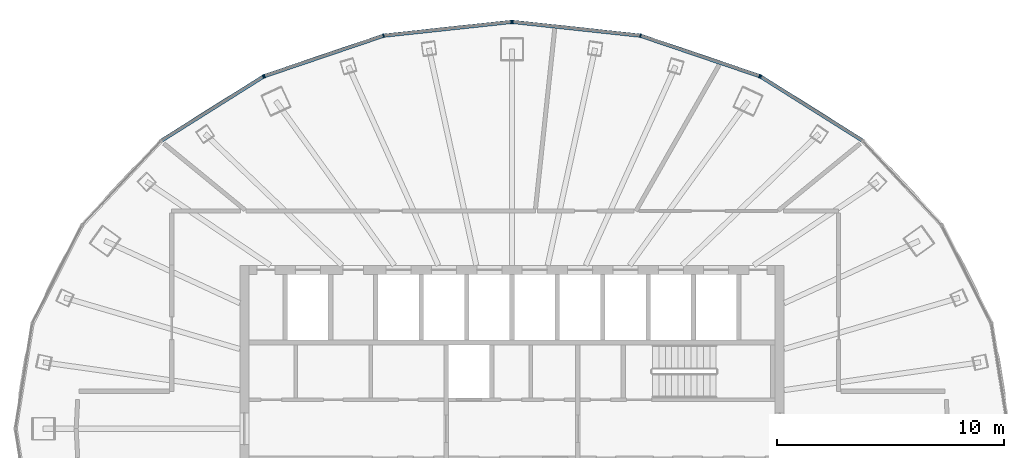
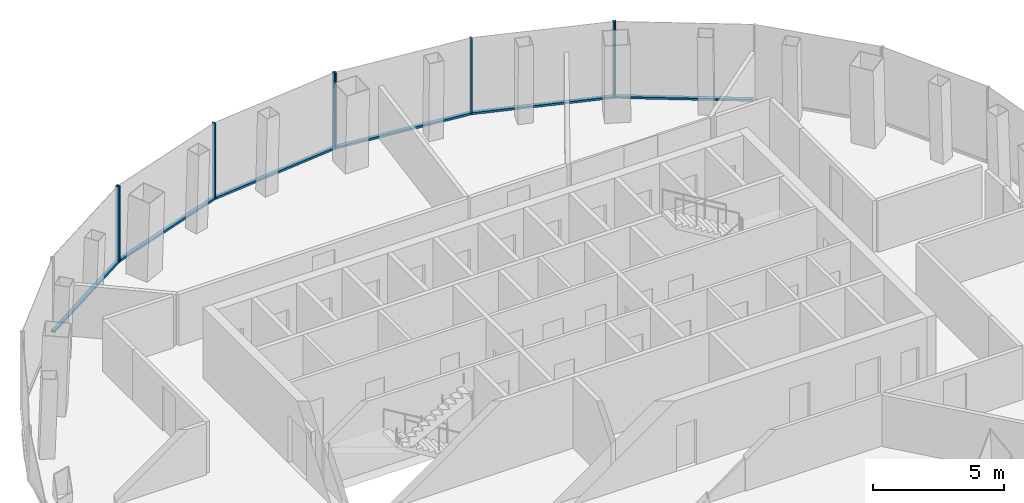
# One storey, part 6 of 11: 14 members, 4 elements without a shape of their own.
"""IFC4 building model written with IfcOpenShell, lengths in metres."""

from ifc_helpers import new_model, si_unit, direction, frame, origin, origin_2d, place, context, subcontext, project, spatial, rectangle, extrude, material, layer, layer_set, material_profile, profile_set, type_object, element, aggregate, save


model = new_model("IFC4")

# Units and contexts
model_context = context("Model", 3, precision=1e-05, world=origin(), true_north=direction((0.0, 1.0)))
body_context = subcontext(model_context, "Body", "Model", "MODEL_VIEW")
ifc_project = project(units=[si_unit("LENGTHUNIT", "METRE"), si_unit("AREAUNIT", "SQUARE_METRE"), si_unit("VOLUMEUNIT", "CUBIC_METRE"), si_unit("PLANEANGLEUNIT", "RADIAN"), si_unit("MASSUNIT", "GRAM", prefix="KILO")], contexts=[model_context])

# Site, building, storey
site_placement = place(None, origin())
site = spatial("IfcSite", under=ifc_project, at=site_placement, CompositionType="ELEMENT")
building_placement = place(site_placement, origin())
building = spatial("IfcBuilding", under=site, at=building_placement, Name="Siaravel Broadcast Tower", CompositionType="ELEMENT")
storey_placement = place(building_placement, frame((0.0, 0.0, 224.5)))
storey = spatial("IfcBuildingStorey", under=building, at=storey_placement, Name="L54", CompositionType="ELEMENT", Elevation=224.5)

# Curtain wall, member
ifc_material = material(Name="Aluminium 6063-T6", Category="aluminium")
ifc_layer = layer(ifc_material, 0.159912109375)
ifc_layer_set = layer_set([ifc_layer], Name="Aluminium 6063-T6")
curtain_wall_type = type_object("IfcCurtainWallType", Name="Unitised curtain wall, zone 4", PredefinedType="NOTDEFINED", material=ifc_layer_set)
curtain_wall_1_placement = place(storey_placement, origin())
curtain_wall_1 = element("IfcCurtainWall", 1, at=curtain_wall_1_placement, inside=storey, type_object=curtain_wall_type, Name="L54 Unitised curtain wall, zone 4 02", PredefinedType="NOTDEFINED")
ifc_material_profile_1 = material_profile(ifc_material, rectangle(XDim=0.159912109375, YDim=0.054931640625, at=origin_2d()))
ifc_profile_set_1 = profile_set([ifc_material_profile_1], Name="Aluminium 6063-T6")
member_type_1 = type_object("IfcMemberType", Name="CW-Z4 mullion", PredefinedType="MULLION", material=ifc_profile_set_1)
member_1_placement = place(storey_placement, frame((10.962890625, 15.5205078125, 0.0), z_axis=(0.0, 0.0, 1.0), x_axis=(-0.53215013, -0.84665001, 0.0)))
member_1 = element("IfcMember", 2, at=member_1_placement, type_object=member_type_1, Name="CW-Z4 mullion 3", PredefinedType="MULLION", context=body_context, shape_type="SweptSolid", body=[
    extrude(rectangle(XDim=0.159912109375, YDim=0.054931640625, at=origin_2d()), origin(), (0.0, 0.0, 1.0), 3.550048828125),
])

# Curtain wall, members
curtain_wall_2_placement = place(storey_placement, origin())
curtain_wall_2 = element("IfcCurtainWall", 3, at=curtain_wall_2_placement, inside=storey, type_object=curtain_wall_type, Name="L54 Unitised curtain wall, zone 4 03", PredefinedType="NOTDEFINED")
member_2_placement = place(storey_placement, frame((10.913330078125, 15.5439453125, 0.0), z_axis=(0.0, 0.0, 1.0), x_axis=(-0.321301242, -0.946977039, 0.0)))
member_2 = element("IfcMember", 4, at=member_2_placement, type_object=member_type_1, Name="CW-Z4 mullion 1", PredefinedType="MULLION", context=body_context, shape_type="SweptSolid", body=[
    extrude(rectangle(XDim=0.159912109375, YDim=0.054931640625, at=origin_2d()), origin(), (0.0, 0.0, 1.0), 3.550048828125),
])
member_3_placement = place(storey_placement, frame((5.662353515625, 17.32568359375, 0.0), z_axis=(0.0, 0.0, 1.0), x_axis=(-0.215558493, -0.97649093, 0.0)))
member_3 = element("IfcMember", 5, at=member_3_placement, type_object=member_type_1, Name="CW-Z4 mullion 2", PredefinedType="MULLION", context=body_context, shape_type="SweptSolid", body=[
    extrude(rectangle(XDim=0.159912109375, YDim=0.054931640625, at=origin_2d()), origin(), (0.0, 0.0, 1.0), 3.550048828125),
])
member_4_placement = place(storey_placement, frame((0.02734375, 17.933349609375, 0.0), z_axis=(0.0, 0.0, 1.0), x_axis=(-0.107217705, -0.994235568, 0.0)))
member_4 = element("IfcMember", 6, at=member_4_placement, type_object=member_type_1, Name="CW-Z4 mullion 3", PredefinedType="MULLION", context=body_context, shape_type="SweptSolid", body=[
    extrude(rectangle(XDim=0.159912109375, YDim=0.054931640625, at=origin_2d()), origin(), (0.0, 0.0, 1.0), 3.550048828125),
])

curtain_wall_3_placement = place(storey_placement, origin())
curtain_wall_3 = element("IfcCurtainWall", 7, at=curtain_wall_3_placement, inside=storey, type_object=curtain_wall_type, Name="L54 Unitised curtain wall, zone 4 04", PredefinedType="NOTDEFINED")
member_5_placement = place(storey_placement, frame((-0.02734375, 17.933349609375, 0.0), z_axis=(0.0, 0.0, 1.0), x_axis=(0.107217705, -0.994235568, 0.0)))
member_5 = element("IfcMember", 8, at=member_5_placement, type_object=member_type_1, Name="CW-Z4 mullion 1", PredefinedType="MULLION", context=body_context, shape_type="SweptSolid", body=[
    extrude(rectangle(XDim=0.159912109375, YDim=0.054931640625, at=origin_2d()), origin(), (0.0, 0.0, 1.0), 3.550048828125),
])
member_6_placement = place(storey_placement, frame((-5.662353515625, 17.32568359375, 0.0), z_axis=(0.0, 0.0, 1.0), x_axis=(0.215558493, -0.97649093, 0.0)))
member_6 = element("IfcMember", 9, at=member_6_placement, type_object=member_type_1, Name="CW-Z4 mullion 2", PredefinedType="MULLION", context=body_context, shape_type="SweptSolid", body=[
    extrude(rectangle(XDim=0.159912109375, YDim=0.054931640625, at=origin_2d()), origin(), (0.0, 0.0, 1.0), 3.550048828125),
])
member_7_placement = place(storey_placement, frame((-10.913330078125, 15.5439453125, 0.0), z_axis=(0.0, 0.0, 1.0), x_axis=(0.321301242, -0.946977039, 0.0)))
member_7 = element("IfcMember", 10, at=member_7_placement, type_object=member_type_1, Name="CW-Z4 mullion 3", PredefinedType="MULLION", context=body_context, shape_type="SweptSolid", body=[
    extrude(rectangle(XDim=0.159912109375, YDim=0.054931640625, at=origin_2d()), origin(), (0.0, 0.0, 1.0), 3.550048828125),
])

# Curtain wall, member
curtain_wall_4_placement = place(storey_placement, origin())
curtain_wall_4 = element("IfcCurtainWall", 11, at=curtain_wall_4_placement, inside=storey, type_object=curtain_wall_type, Name="L54 Unitised curtain wall, zone 4 05", PredefinedType="NOTDEFINED")
member_8_placement = place(storey_placement, frame((-10.962890625, 15.5205078125, 0.0), z_axis=(0.0, 0.0, 1.0), x_axis=(0.53215013, -0.84665001, 0.0)))
member_8 = element("IfcMember", 12, at=member_8_placement, type_object=member_type_1, Name="CW-Z4 mullion 1", PredefinedType="MULLION", context=body_context, shape_type="SweptSolid", body=[
    extrude(rectangle(XDim=0.159912109375, YDim=0.054931640625, at=origin_2d()), origin(), (0.0, 0.0, 1.0), 3.550048828125),
])

# Member
ifc_material_profile_2 = material_profile(ifc_material, rectangle(XDim=0.159912109375, YDim=0.090087890625, at=origin_2d()))
ifc_profile_set_2 = profile_set([ifc_material_profile_2], Name="Aluminium 6063-T6")
member_type_2 = type_object("IfcMemberType", Name="CW-Z4 transom", PredefinedType="USERDEFINED", material=ifc_profile_set_2)
member_9_placement = place(storey_placement, frame((15.448974609375, 12.70068359375, 0.044921875), z_axis=(-0.846642511, 0.53216206, 0.0), x_axis=(-0.53216206, -0.846642511, 0.0)))
member_9 = element("IfcMember", 13, at=member_9_placement, type_object=member_type_2, Name="CW-Z4 transom 2", ObjectType="TRANSOM", PredefinedType="USERDEFINED", context=body_context, shape_type="SweptSolid", body=[
    extrude(rectangle(XDim=0.159912109375, YDim=0.090087890625, at=origin_2d()), origin(), (0.0, 0.0, 1.0), 5.271240234375),
])

aggregate(curtain_wall_1, [member_1, member_9])

member_10_placement = place(storey_placement, frame((10.887451171875, 15.552978515625, 0.044921875), z_axis=(-0.946979908, 0.321292784, 0.0), x_axis=(-0.321292784, -0.946979908, 0.0)))
member_10 = element("IfcMember", 14, at=member_10_placement, type_object=member_type_2, Name="CW-Z4 transom 1", ObjectType="TRANSOM", PredefinedType="USERDEFINED", context=body_context, shape_type="SweptSolid", body=[
    extrude(rectangle(XDim=0.159912109375, YDim=0.090087890625, at=origin_2d()), origin(), (0.0, 0.0, 1.0), 5.489990234375),
])

member_11_placement = place(storey_placement, frame((5.635009765625, 17.32861328125, 0.044921875), z_axis=(-0.994235028, 0.107222704, 0.0), x_axis=(-0.107222704, -0.994235028, 0.0)))
member_11 = element("IfcMember", 15, at=member_11_placement, type_object=member_type_2, Name="CW-Z4 transom 2", ObjectType="TRANSOM", PredefinedType="USERDEFINED", context=body_context, shape_type="SweptSolid", body=[
    extrude(rectangle(XDim=0.159912109375, YDim=0.090087890625, at=origin_2d()), origin(), (0.0, 0.0, 1.0), 5.61279296875),
])

aggregate(curtain_wall_2, [member_2, member_3, member_4, member_10, member_11])

member_12_placement = place(storey_placement, frame((-0.0546875, 17.930419921875, 0.044921875), z_axis=(-0.994235028, -0.107222704, 0.0), x_axis=(0.107222704, -0.994235028, 0.0)))
member_12 = element("IfcMember", 16, at=member_12_placement, type_object=member_type_2, Name="CW-Z4 transom 1", ObjectType="TRANSOM", PredefinedType="USERDEFINED", context=body_context, shape_type="SweptSolid", body=[
    extrude(rectangle(XDim=0.159912109375, YDim=0.090087890625, at=origin_2d()), origin(), (0.0, 0.0, 1.0), 5.61279296875),
])

member_13_placement = place(storey_placement, frame((-5.6884765625, 17.31689453125, 0.044921875), z_axis=(-0.946979908, -0.321292784, 0.0), x_axis=(0.321292784, -0.946979908, 0.0)))
member_13 = element("IfcMember", 17, at=member_13_placement, type_object=member_type_2, Name="CW-Z4 transom 2", ObjectType="TRANSOM", PredefinedType="USERDEFINED", context=body_context, shape_type="SweptSolid", body=[
    extrude(rectangle(XDim=0.159912109375, YDim=0.090087890625, at=origin_2d()), origin(), (0.0, 0.0, 1.0), 5.489990234375),
])

aggregate(curtain_wall_3, [member_5, member_6, member_7, member_12, member_13])

member_14_placement = place(storey_placement, frame((-10.986083984375, 15.505859375, 0.044921875), z_axis=(-0.846642511, -0.53216206, 0.0), x_axis=(0.53216206, -0.846642511, 0.0)))
member_14 = element("IfcMember", 18, at=member_14_placement, type_object=member_type_2, Name="CW-Z4 transom 1", ObjectType="TRANSOM", PredefinedType="USERDEFINED", context=body_context, shape_type="SweptSolid", body=[
    extrude(rectangle(XDim=0.159912109375, YDim=0.090087890625, at=origin_2d()), origin(), (0.0, 0.0, 1.0), 5.271240234375),
])

aggregate(curtain_wall_4, [member_8, member_14])

save(model, "model.ifc")
